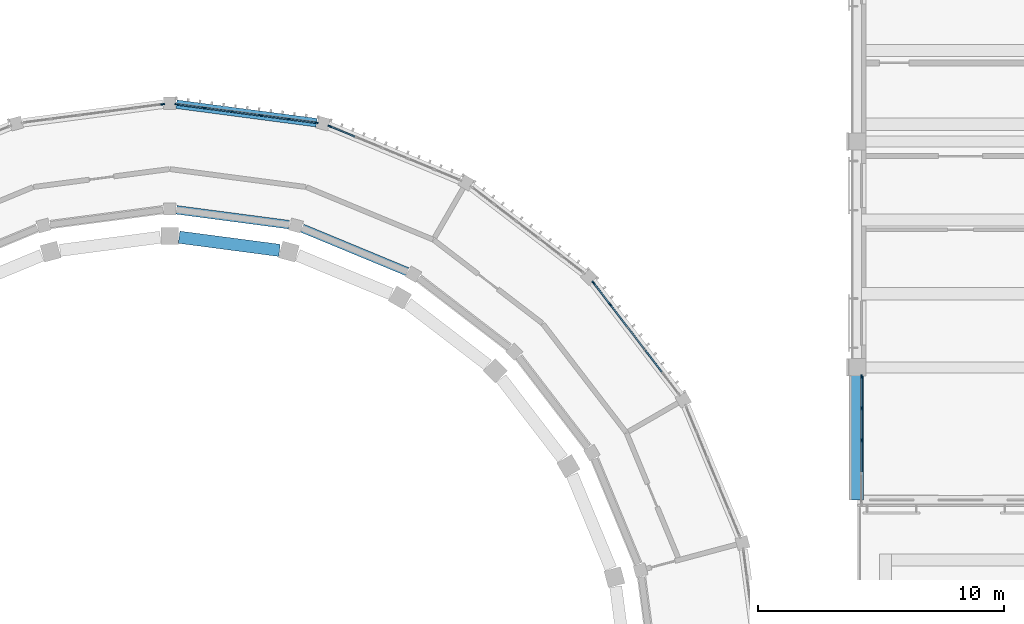
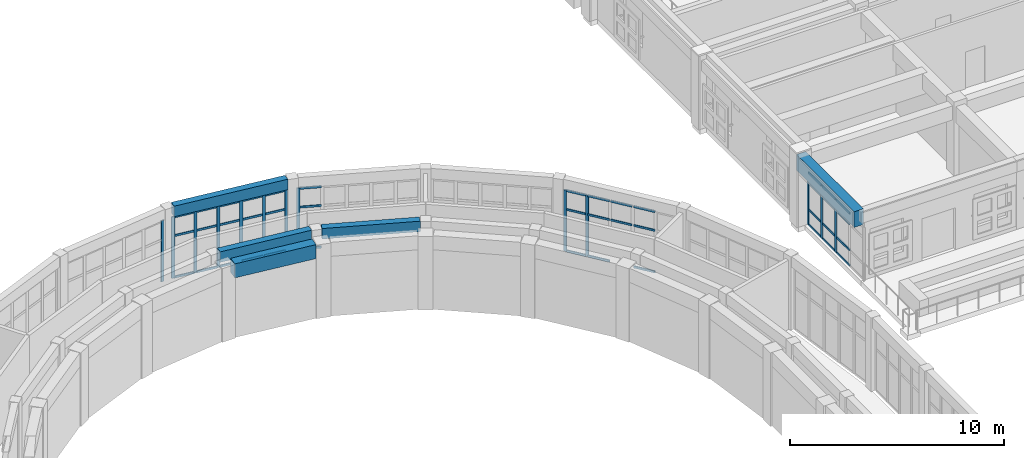
# One storey, part 22 of 99: 54 members, 5 beams, 5 elements without a shape of their own.
"""IFC4 building model written with IfcOpenShell, lengths in metres."""

from ifc_helpers import new_model, si_unit, direction, frame, origin, origin_2d, place, context, subcontext, project, spatial, rectangle, extrude, material, layer, layer_set, material_profile, profile_set, type_object, element, aggregate, save


model = new_model("IFC4")

# Units and contexts
model_context = context("Model", 3, precision=1e-05, world=origin(), true_north=direction((0.0, 1.0)))
body_context = subcontext(model_context, "Body", "Model", "MODEL_VIEW")
ifc_project = project(units=[si_unit("LENGTHUNIT", "METRE"), si_unit("AREAUNIT", "SQUARE_METRE"), si_unit("VOLUMEUNIT", "CUBIC_METRE"), si_unit("PLANEANGLEUNIT", "RADIAN"), si_unit("MASSUNIT", "GRAM", prefix="KILO")], contexts=[model_context])

# Site, building, storey
site_placement = place(None, origin())
site = spatial("IfcSite", under=ifc_project, at=site_placement, CompositionType="ELEMENT")
building_placement = place(site_placement, origin())
building = spatial("IfcBuilding", under=site, at=building_placement, Name="Wasatch Bagh Community Centre", CompositionType="ELEMENT")
storey_placement = place(building_placement, frame((0.0, 0.0, 4.199951171875)))
storey = spatial("IfcBuildingStorey", under=building, at=storey_placement, Name="L01", CompositionType="ELEMENT", Elevation=4.199951171875)

# Curtain wall, members
ifc_material_1 = material(Name="Aluminium curtain wall frame with low-iron insulated glass", Category="aluminium")
ifc_layer_1 = layer(ifc_material_1, 0.14990234375)
ifc_layer_set_1 = layer_set([ifc_layer_1], Name="Aluminium curtain wall frame with low-iron insulated glass")
curtain_wall_type_1 = type_object("IfcCurtainWallType", Name="Drum curtain wall DR-CW2", PredefinedType="NOTDEFINED", material=ifc_layer_set_1)
curtain_wall_1_placement = place(storey_placement, origin())
curtain_wall_1 = element("IfcCurtainWall", 1, at=curtain_wall_1_placement, inside=storey, type_object=curtain_wall_type_1, Name="Curtain wall DR-CW2 21", PredefinedType="NOTDEFINED")
ifc_material_2 = material(Name="Aluminium curtain wall frame", Category="aluminium")
ifc_material_profile_1 = material_profile(ifc_material_2, rectangle(XDim=0.06005859375, YDim=0.159912109375, at=origin_2d()), Name="Drum mullion DR-CW2")
ifc_profile_set_1 = profile_set([ifc_material_profile_1], Name="Aluminium curtain wall frame")
member_type_1 = type_object("IfcMemberType", Name="Drum mullion DR-CW2", PredefinedType="MULLION", material=ifc_profile_set_1)
member_1_placement = place(storey_placement, frame((53.940185546875, 80.951416015625, 0.0), z_axis=(0.0, 0.0, 1.0), x_axis=(-0.793353340196, -0.608761429133, 0.0)))
member_1 = element("IfcMember", 2, at=member_1_placement, type_object=member_type_1, Name="DR-CW2 mullion 5", PredefinedType="MULLION", context=body_context, shape_type="SweptSolid", body=[
    extrude(rectangle(XDim=0.06005859375, YDim=0.159912109375, at=origin_2d()), origin(), (0.0, 0.0, 1.0), 3.5),
])
member_2_placement = place(storey_placement, frame((53.254638671875, 81.844482421875, 0.0), z_axis=(0.0, 0.0, 1.0), x_axis=(-0.793353340196, -0.608761429133, 0.0)))
member_2 = element("IfcMember", 3, at=member_2_placement, type_object=member_type_1, Name="DR-CW2 mullion 6", PredefinedType="MULLION", context=body_context, shape_type="SweptSolid", body=[
    extrude(rectangle(XDim=0.06005859375, YDim=0.159912109375, at=origin_2d()), origin(), (0.0, 0.0, 1.0), 3.5),
])

# Curtain wall, member
curtain_wall_2_placement = place(storey_placement, origin())
curtain_wall_2 = element("IfcCurtainWall", 4, at=curtain_wall_2_placement, inside=storey, type_object=curtain_wall_type_1, Name="Curtain wall DR-CW2 23", PredefinedType="NOTDEFINED")
member_3_placement = place(storey_placement, frame((42.520751953125, 88.215087890625, 0.0), z_axis=(0.0, 0.0, 1.0), x_axis=(-0.38268343251, -0.923879532451, 0.0)))
member_3 = element("IfcMember", 5, at=member_3_placement, type_object=member_type_1, Name="DR-CW2 mullion 6", PredefinedType="MULLION", context=body_context, shape_type="SweptSolid", body=[
    extrude(rectangle(XDim=0.06005859375, YDim=0.159912109375, at=origin_2d()), origin(), (0.0, 0.0, 1.0), 3.5),
])

# Curtain wall, members
curtain_wall_3_placement = place(storey_placement, origin())
curtain_wall_3 = element("IfcCurtainWall", 6, at=curtain_wall_3_placement, inside=storey, type_object=curtain_wall_type_1, Name="Curtain wall DR-CW2 24", PredefinedType="NOTDEFINED")
member_4_placement = place(storey_placement, frame((41.96044921875, 88.365234375, 0.0), z_axis=(0.0, 0.0, 1.0), x_axis=(-0.130526192185, -0.991444861378, 0.0)))
member_4 = element("IfcMember", 7, at=member_4_placement, type_object=member_type_1, Name="DR-CW2 mullion 1", PredefinedType="MULLION", context=body_context, shape_type="SweptSolid", body=[
    extrude(rectangle(XDim=0.06005859375, YDim=0.159912109375, at=origin_2d()), origin(), (0.0, 0.0, 1.0), 3.5),
])
member_5_placement = place(storey_placement, frame((40.84423828125, 88.51220703125, 0.0), z_axis=(0.0, 0.0, 1.0), x_axis=(-0.130526192185, -0.991444861378, 0.0)))
member_5 = element("IfcMember", 8, at=member_5_placement, type_object=member_type_1, Name="DR-CW2 mullion 2", PredefinedType="MULLION", context=body_context, shape_type="SweptSolid", body=[
    extrude(rectangle(XDim=0.06005859375, YDim=0.159912109375, at=origin_2d()), origin(), (0.0, 0.0, 1.0), 3.5),
])
member_6_placement = place(storey_placement, frame((39.6982421875, 88.6630859375, 0.0), z_axis=(0.0, 0.0, 1.0), x_axis=(-0.130526192185, -0.991444861378, 0.0)))
member_6 = element("IfcMember", 9, at=member_6_placement, type_object=member_type_1, Name="DR-CW2 mullion 3", PredefinedType="MULLION", context=body_context, shape_type="SweptSolid", body=[
    extrude(rectangle(XDim=0.06005859375, YDim=0.159912109375, at=origin_2d()), origin(), (0.0, 0.0, 1.0), 3.5),
])
member_7_placement = place(storey_placement, frame((38.55224609375, 88.81396484375, 0.0), z_axis=(0.0, 0.0, 1.0), x_axis=(-0.130526192185, -0.991444861378, 0.0)))
member_7 = element("IfcMember", 10, at=member_7_placement, type_object=member_type_1, Name="DR-CW2 mullion 4", PredefinedType="MULLION", context=body_context, shape_type="SweptSolid", body=[
    extrude(rectangle(XDim=0.06005859375, YDim=0.159912109375, at=origin_2d()), origin(), (0.0, 0.0, 1.0), 3.5),
])
member_8_placement = place(storey_placement, frame((37.40625, 88.96484375, 0.0), z_axis=(0.0, 0.0, 1.0), x_axis=(-0.130526192185, -0.991444861378, 0.0)))
member_8 = element("IfcMember", 11, at=member_8_placement, type_object=member_type_1, Name="DR-CW2 mullion 5", PredefinedType="MULLION", context=body_context, shape_type="SweptSolid", body=[
    extrude(rectangle(XDim=0.06005859375, YDim=0.159912109375, at=origin_2d()), origin(), (0.0, 0.0, 1.0), 3.5),
])
member_9_placement = place(storey_placement, frame((36.2900390625, 89.11181640625, 0.0), z_axis=(0.0, 0.0, 1.0), x_axis=(-0.130526192185, -0.991444861378, 0.0)))
member_9 = element("IfcMember", 12, at=member_9_placement, type_object=member_type_1, Name="DR-CW2 mullion 6", PredefinedType="MULLION", context=body_context, shape_type="SweptSolid", body=[
    extrude(rectangle(XDim=0.06005859375, YDim=0.159912109375, at=origin_2d()), origin(), (0.0, 0.0, 1.0), 3.5),
])

# Curtain wall, member
curtain_wall_4_placement = place(storey_placement, origin())
curtain_wall_4 = element("IfcCurtainWall", 13, at=curtain_wall_4_placement, inside=storey, type_object=curtain_wall_type_1, Name="Curtain wall DR-CW2 25", PredefinedType="NOTDEFINED")
member_10_placement = place(storey_placement, frame((35.7099609375, 89.11181640625, 0.0), z_axis=(0.0, 0.0, 1.0), x_axis=(0.130526192185, -0.991444861378, 0.0)))
member_10 = element("IfcMember", 14, at=member_10_placement, type_object=member_type_1, Name="DR-CW2 mullion 1", PredefinedType="MULLION", context=body_context, shape_type="SweptSolid", body=[
    extrude(rectangle(XDim=0.06005859375, YDim=0.159912109375, at=origin_2d()), origin(), (0.0, 0.0, 1.0), 3.5),
])
aggregate(curtain_wall_4, [member_10])

# Beams
ifc_material_3 = material(Name="Concrete C35", Category="concrete")
ifc_material_profile_2 = material_profile(ifc_material_3, rectangle(XDim=0.35009765625, YDim=0.60009765625, at=origin_2d()), Name="RC 350x600")
ifc_profile_set_2 = profile_set([ifc_material_profile_2], Name="Concrete C35")
beam_type_1 = type_object("IfcBeamType", Name="Drum ring beam RC 350x600", PredefinedType="BEAM", material=ifc_profile_set_2)
beam_1_placement = place(storey_placement, frame((45.67041015625, 82.296142578125, 3.900146484375), z_axis=(-0.923884458327, 0.382671540178, 0.0), x_axis=(-0.382671540178, -0.923884458327, 0.0)))
element("IfcBeam", 15, at=beam_1_placement, inside=storey, type_object=beam_type_1, Name="Ring beam 8.4 DI-N4-DI-N5", PredefinedType="BEAM", context=body_context, shape_type="SweptSolid", body=[
    extrude(rectangle(XDim=0.35009765625, YDim=0.60009765625, at=origin_2d()), origin(), (0.0, 0.0, 1.0), 4.630615234375),
])
beam_2_placement = place(storey_placement, frame((40.8642578125, 84.209716796875, 3.900146484375), z_axis=(-0.99144891089, 0.130495429401, 0.0), x_axis=(-0.130495429401, -0.99144891089, 0.0)))
element("IfcBeam", 16, at=beam_2_placement, inside=storey, type_object=beam_type_1, Name="Ring beam 8.4 DI-N5-DI-N6", PredefinedType="BEAM", context=body_context, shape_type="SweptSolid", body=[
    extrude(rectangle(XDim=0.35009765625, YDim=0.60009765625, at=origin_2d()), origin(), (0.0, 0.0, 1.0), 4.63037109375),
])
beam_3_placement = place(storey_placement, frame((41.97705078125, 88.363037109375, 3.900146484375), z_axis=(-0.991443025046, 0.130540139759, 0.0), x_axis=(-0.130540139759, -0.991443025046, 0.0)))
element("IfcBeam", 17, at=beam_3_placement, inside=storey, type_object=beam_type_1, Name="Ring beam 8.4 DO-N5-DO-N6", PredefinedType="BEAM", context=body_context, shape_type="SweptSolid", body=[
    extrude(rectangle(XDim=0.35009765625, YDim=0.60009765625, at=origin_2d()), origin(), (0.0, 0.0, 1.0), 5.7529296875),
])

# Member
ifc_material_profile_3 = material_profile(ifc_material_2, rectangle(XDim=0.06005859375, YDim=0.1201171875, at=origin_2d()), Name="Drum transom DR-CW2")
ifc_profile_set_3 = profile_set([ifc_material_profile_3], Name="Aluminium curtain wall frame")
member_type_2 = type_object("IfcMemberType", Name="Drum transom DR-CW2", PredefinedType="USERDEFINED", material=ifc_profile_set_3)
member_11_placement = place(storey_placement, frame((56.03271484375, 78.22412109375, 0.030029296875), z_axis=(-0.608698124672, 0.793401911405, 0.0), x_axis=(-0.793401911405, -0.608698124672, 0.0)))
member_11 = element("IfcMember", 18, at=member_11_placement, type_object=member_type_2, Name="DR-CW2 transom 2.1", ObjectType="TRANSOM", PredefinedType="USERDEFINED", context=body_context, shape_type="SweptSolid", body=[
    extrude(rectangle(XDim=0.06005859375, YDim=0.1201171875, at=origin_2d()), origin(), (0.0, 0.0, 1.0), 1.095703125),
])

member_12_placement = place(storey_placement, frame((56.03271484375, 78.22412109375, 2.400146484375), z_axis=(-0.608698124672, 0.793401911405, 0.0), x_axis=(-0.793401911405, -0.608698124672, 0.0)))
member_12 = element("IfcMember", 19, at=member_12_placement, type_object=member_type_2, Name="DR-CW2 transom 2.2", ObjectType="TRANSOM", PredefinedType="USERDEFINED", context=body_context, shape_type="SweptSolid", body=[
    extrude(rectangle(XDim=0.06005859375, YDim=0.1201171875, at=origin_2d()), origin(), (0.0, 0.0, 1.0), 1.095703125),
])

member_13_placement = place(storey_placement, frame((56.03271484375, 78.22412109375, 3.469970703125), z_axis=(-0.608698124672, 0.793401911405, 0.0), x_axis=(-0.793401911405, -0.608698124672, 0.0)))
member_13 = element("IfcMember", 20, at=member_13_placement, type_object=member_type_2, Name="DR-CW2 transom 2.3", ObjectType="TRANSOM", PredefinedType="USERDEFINED", context=body_context, shape_type="SweptSolid", body=[
    extrude(rectangle(XDim=0.06005859375, YDim=0.1201171875, at=origin_2d()), origin(), (0.0, 0.0, 1.0), 1.095703125),
])

member_14_placement = place(storey_placement, frame((55.3291015625, 79.14111328125, 2.400146484375), z_axis=(-0.608698124672, 0.793401911405, 0.0), x_axis=(-0.793401911405, -0.608698124672, 0.0)))
member_14 = element("IfcMember", 21, at=member_14_placement, type_object=member_type_2, Name="DR-CW2 transom 3.2", ObjectType="TRANSOM", PredefinedType="USERDEFINED", context=body_context, shape_type="SweptSolid", body=[
    extrude(rectangle(XDim=0.06005859375, YDim=0.1201171875, at=origin_2d()), origin(), (0.0, 0.0, 1.0), 1.095703125),
])

member_15_placement = place(storey_placement, frame((55.3291015625, 79.14111328125, 3.469970703125), z_axis=(-0.608698124672, 0.793401911405, 0.0), x_axis=(-0.793401911405, -0.608698124672, 0.0)))
member_15 = element("IfcMember", 22, at=member_15_placement, type_object=member_type_2, Name="DR-CW2 transom 3.3", ObjectType="TRANSOM", PredefinedType="USERDEFINED", context=body_context, shape_type="SweptSolid", body=[
    extrude(rectangle(XDim=0.06005859375, YDim=0.1201171875, at=origin_2d()), origin(), (0.0, 0.0, 1.0), 1.095703125),
])

member_16_placement = place(storey_placement, frame((54.62548828125, 80.05810546875, 0.030029296875), z_axis=(-0.608838347721, 0.793294312563, 0.0), x_axis=(-0.793294312563, -0.608838347721, 0.0)))
member_16 = element("IfcMember", 23, at=member_16_placement, type_object=member_type_2, Name="DR-CW2 transom 4.1", ObjectType="TRANSOM", PredefinedType="USERDEFINED", context=body_context, shape_type="SweptSolid", body=[
    extrude(rectangle(XDim=0.06005859375, YDim=0.1201171875, at=origin_2d()), origin(), (0.0, 0.0, 1.0), 1.095947265625),
])

member_17_placement = place(storey_placement, frame((54.62548828125, 80.05810546875, 2.400146484375), z_axis=(-0.608838347721, 0.793294312563, 0.0), x_axis=(-0.793294312563, -0.608838347721, 0.0)))
member_17 = element("IfcMember", 24, at=member_17_placement, type_object=member_type_2, Name="DR-CW2 transom 4.2", ObjectType="TRANSOM", PredefinedType="USERDEFINED", context=body_context, shape_type="SweptSolid", body=[
    extrude(rectangle(XDim=0.06005859375, YDim=0.1201171875, at=origin_2d()), origin(), (0.0, 0.0, 1.0), 1.095947265625),
])

member_18_placement = place(storey_placement, frame((54.62548828125, 80.05810546875, 3.469970703125), z_axis=(-0.608838347721, 0.793294312563, 0.0), x_axis=(-0.793294312563, -0.608838347721, 0.0)))
member_18 = element("IfcMember", 25, at=member_18_placement, type_object=member_type_2, Name="DR-CW2 transom 4.3", ObjectType="TRANSOM", PredefinedType="USERDEFINED", context=body_context, shape_type="SweptSolid", body=[
    extrude(rectangle(XDim=0.06005859375, YDim=0.1201171875, at=origin_2d()), origin(), (0.0, 0.0, 1.0), 1.095947265625),
])

member_19_placement = place(storey_placement, frame((53.921875, 80.97509765625, 0.030029296875), z_axis=(-0.608758447006, 0.793355628453, 0.0), x_axis=(-0.793355628453, -0.608758447006, 0.0)))
member_19 = element("IfcMember", 26, at=member_19_placement, type_object=member_type_2, Name="DR-CW2 transom 5.1", ObjectType="TRANSOM", PredefinedType="USERDEFINED", context=body_context, shape_type="SweptSolid", body=[
    extrude(rectangle(XDim=0.06005859375, YDim=0.1201171875, at=origin_2d()), origin(), (0.0, 0.0, 1.0), 1.06591796875),
])

member_20_placement = place(storey_placement, frame((53.921875, 80.97509765625, 2.400146484375), z_axis=(-0.608758447006, 0.793355628453, 0.0), x_axis=(-0.793355628453, -0.608758447006, 0.0)))
member_20 = element("IfcMember", 27, at=member_20_placement, type_object=member_type_2, Name="DR-CW2 transom 5.2", ObjectType="TRANSOM", PredefinedType="USERDEFINED", context=body_context, shape_type="SweptSolid", body=[
    extrude(rectangle(XDim=0.06005859375, YDim=0.1201171875, at=origin_2d()), origin(), (0.0, 0.0, 1.0), 1.06591796875),
])

member_21_placement = place(storey_placement, frame((53.921875, 80.97509765625, 3.469970703125), z_axis=(-0.608758447006, 0.793355628453, 0.0), x_axis=(-0.793355628453, -0.608758447006, 0.0)))
member_21 = element("IfcMember", 28, at=member_21_placement, type_object=member_type_2, Name="DR-CW2 transom 5.3", ObjectType="TRANSOM", PredefinedType="USERDEFINED", context=body_context, shape_type="SweptSolid", body=[
    extrude(rectangle(XDim=0.06005859375, YDim=0.1201171875, at=origin_2d()), origin(), (0.0, 0.0, 1.0), 1.06591796875),
])

aggregate(curtain_wall_1, [member_1, member_2, member_11, member_12, member_13, member_14, member_15, member_16, member_17, member_18, member_19, member_20, member_21])

member_22_placement = place(storey_placement, frame((43.533203125, 87.7958984375, 0.030029296875), z_axis=(-0.923955432606, 0.382500141907, 0.0), x_axis=(-0.382500141907, -0.923955432606, 0.0)))
member_22 = element("IfcMember", 29, at=member_22_placement, type_object=member_type_2, Name="DR-CW2 transom 5.1", ObjectType="TRANSOM", PredefinedType="USERDEFINED", context=body_context, shape_type="SweptSolid", body=[
    extrude(rectangle(XDim=0.06005859375, YDim=0.1201171875, at=origin_2d()), origin(), (0.0, 0.0, 1.0), 1.06591796875),
])

member_23_placement = place(storey_placement, frame((43.533203125, 87.7958984375, 2.400146484375), z_axis=(-0.923955432606, 0.382500141907, 0.0), x_axis=(-0.382500141907, -0.923955432606, 0.0)))
member_23 = element("IfcMember", 30, at=member_23_placement, type_object=member_type_2, Name="DR-CW2 transom 5.2", ObjectType="TRANSOM", PredefinedType="USERDEFINED", context=body_context, shape_type="SweptSolid", body=[
    extrude(rectangle(XDim=0.06005859375, YDim=0.1201171875, at=origin_2d()), origin(), (0.0, 0.0, 1.0), 1.06591796875),
])

member_24_placement = place(storey_placement, frame((43.533203125, 87.7958984375, 3.469970703125), z_axis=(-0.923955432606, 0.382500141907, 0.0), x_axis=(-0.382500141907, -0.923955432606, 0.0)))
member_24 = element("IfcMember", 31, at=member_24_placement, type_object=member_type_2, Name="DR-CW2 transom 5.3", ObjectType="TRANSOM", PredefinedType="USERDEFINED", context=body_context, shape_type="SweptSolid", body=[
    extrude(rectangle(XDim=0.06005859375, YDim=0.1201171875, at=origin_2d()), origin(), (0.0, 0.0, 1.0), 1.06591796875),
])

aggregate(curtain_wall_2, [member_3, member_22, member_23, member_24])

member_25_placement = place(storey_placement, frame((41.9306640625, 88.369140625, 0.030029296875), z_axis=(-0.991438694485, 0.130573025845, 0.0), x_axis=(-0.130573025845, -0.991438694485, 0.0)))
member_25 = element("IfcMember", 32, at=member_25_placement, type_object=member_type_2, Name="DR-CW2 transom 1.1", ObjectType="TRANSOM", PredefinedType="USERDEFINED", context=body_context, shape_type="SweptSolid", body=[
    extrude(rectangle(XDim=0.06005859375, YDim=0.1201171875, at=origin_2d()), origin(), (0.0, 0.0, 1.0), 1.065673828125),
])

member_26_placement = place(storey_placement, frame((41.9306640625, 88.369140625, 2.400146484375), z_axis=(-0.991438694485, 0.130573025845, 0.0), x_axis=(-0.130573025845, -0.991438694485, 0.0)))
member_26 = element("IfcMember", 33, at=member_26_placement, type_object=member_type_2, Name="DR-CW2 transom 1.2", ObjectType="TRANSOM", PredefinedType="USERDEFINED", context=body_context, shape_type="SweptSolid", body=[
    extrude(rectangle(XDim=0.06005859375, YDim=0.1201171875, at=origin_2d()), origin(), (0.0, 0.0, 1.0), 1.065673828125),
])

member_27_placement = place(storey_placement, frame((41.9306640625, 88.369140625, 3.469970703125), z_axis=(-0.991438694485, 0.130573025845, 0.0), x_axis=(-0.130573025845, -0.991438694485, 0.0)))
member_27 = element("IfcMember", 34, at=member_27_placement, type_object=member_type_2, Name="DR-CW2 transom 1.3", ObjectType="TRANSOM", PredefinedType="USERDEFINED", context=body_context, shape_type="SweptSolid", body=[
    extrude(rectangle(XDim=0.06005859375, YDim=0.1201171875, at=origin_2d()), origin(), (0.0, 0.0, 1.0), 1.065673828125),
])

member_28_placement = place(storey_placement, frame((40.814453125, 88.51611328125, 0.030029296875), z_axis=(-0.99144064028, 0.130558250608, 0.0), x_axis=(-0.130558250608, -0.99144064028, 0.0)))
member_28 = element("IfcMember", 35, at=member_28_placement, type_object=member_type_2, Name="DR-CW2 transom 2.1", ObjectType="TRANSOM", PredefinedType="USERDEFINED", context=body_context, shape_type="SweptSolid", body=[
    extrude(rectangle(XDim=0.06005859375, YDim=0.1201171875, at=origin_2d()), origin(), (0.0, 0.0, 1.0), 1.095703125),
])

member_29_placement = place(storey_placement, frame((40.814453125, 88.51611328125, 2.400146484375), z_axis=(-0.99144064028, 0.130558250608, 0.0), x_axis=(-0.130558250608, -0.99144064028, 0.0)))
member_29 = element("IfcMember", 36, at=member_29_placement, type_object=member_type_2, Name="DR-CW2 transom 2.2", ObjectType="TRANSOM", PredefinedType="USERDEFINED", context=body_context, shape_type="SweptSolid", body=[
    extrude(rectangle(XDim=0.06005859375, YDim=0.1201171875, at=origin_2d()), origin(), (0.0, 0.0, 1.0), 1.095703125),
])

member_30_placement = place(storey_placement, frame((40.814453125, 88.51611328125, 3.469970703125), z_axis=(-0.99144064028, 0.130558250608, 0.0), x_axis=(-0.130558250608, -0.99144064028, 0.0)))
member_30 = element("IfcMember", 37, at=member_30_placement, type_object=member_type_2, Name="DR-CW2 transom 2.3", ObjectType="TRANSOM", PredefinedType="USERDEFINED", context=body_context, shape_type="SweptSolid", body=[
    extrude(rectangle(XDim=0.06005859375, YDim=0.1201171875, at=origin_2d()), origin(), (0.0, 0.0, 1.0), 1.095703125),
])

member_31_placement = place(storey_placement, frame((39.66845703125, 88.6669921875, 0.030029296875), z_axis=(-0.99144064028, 0.130558250608, 0.0), x_axis=(-0.130558250608, -0.99144064028, 0.0)))
member_31 = element("IfcMember", 38, at=member_31_placement, type_object=member_type_2, Name="DR-CW2 transom 3.1", ObjectType="TRANSOM", PredefinedType="USERDEFINED", context=body_context, shape_type="SweptSolid", body=[
    extrude(rectangle(XDim=0.06005859375, YDim=0.1201171875, at=origin_2d()), origin(), (0.0, 0.0, 1.0), 1.095703125),
])

member_32_placement = place(storey_placement, frame((39.66845703125, 88.6669921875, 2.400146484375), z_axis=(-0.99144064028, 0.130558250608, 0.0), x_axis=(-0.130558250608, -0.99144064028, 0.0)))
member_32 = element("IfcMember", 39, at=member_32_placement, type_object=member_type_2, Name="DR-CW2 transom 3.2", ObjectType="TRANSOM", PredefinedType="USERDEFINED", context=body_context, shape_type="SweptSolid", body=[
    extrude(rectangle(XDim=0.06005859375, YDim=0.1201171875, at=origin_2d()), origin(), (0.0, 0.0, 1.0), 1.095703125),
])

member_33_placement = place(storey_placement, frame((39.66845703125, 88.6669921875, 3.469970703125), z_axis=(-0.99144064028, 0.130558250608, 0.0), x_axis=(-0.130558250608, -0.99144064028, 0.0)))
member_33 = element("IfcMember", 40, at=member_33_placement, type_object=member_type_2, Name="DR-CW2 transom 3.3", ObjectType="TRANSOM", PredefinedType="USERDEFINED", context=body_context, shape_type="SweptSolid", body=[
    extrude(rectangle(XDim=0.06005859375, YDim=0.1201171875, at=origin_2d()), origin(), (0.0, 0.0, 1.0), 1.095703125),
])

member_34_placement = place(storey_placement, frame((38.5224609375, 88.81787109375, 0.030029296875), z_axis=(-0.99144064028, 0.130558250608, 0.0), x_axis=(-0.130558250608, -0.99144064028, 0.0)))
member_34 = element("IfcMember", 41, at=member_34_placement, type_object=member_type_2, Name="DR-CW2 transom 4.1", ObjectType="TRANSOM", PredefinedType="USERDEFINED", context=body_context, shape_type="SweptSolid", body=[
    extrude(rectangle(XDim=0.06005859375, YDim=0.1201171875, at=origin_2d()), origin(), (0.0, 0.0, 1.0), 1.095703125),
])

member_35_placement = place(storey_placement, frame((38.5224609375, 88.81787109375, 2.400146484375), z_axis=(-0.99144064028, 0.130558250608, 0.0), x_axis=(-0.130558250608, -0.99144064028, 0.0)))
member_35 = element("IfcMember", 42, at=member_35_placement, type_object=member_type_2, Name="DR-CW2 transom 4.2", ObjectType="TRANSOM", PredefinedType="USERDEFINED", context=body_context, shape_type="SweptSolid", body=[
    extrude(rectangle(XDim=0.06005859375, YDim=0.1201171875, at=origin_2d()), origin(), (0.0, 0.0, 1.0), 1.095703125),
])

member_36_placement = place(storey_placement, frame((38.5224609375, 88.81787109375, 3.469970703125), z_axis=(-0.99144064028, 0.130558250608, 0.0), x_axis=(-0.130558250608, -0.99144064028, 0.0)))
member_36 = element("IfcMember", 43, at=member_36_placement, type_object=member_type_2, Name="DR-CW2 transom 4.3", ObjectType="TRANSOM", PredefinedType="USERDEFINED", context=body_context, shape_type="SweptSolid", body=[
    extrude(rectangle(XDim=0.06005859375, YDim=0.1201171875, at=origin_2d()), origin(), (0.0, 0.0, 1.0), 1.095703125),
])

member_37_placement = place(storey_placement, frame((37.37646484375, 88.96875, 0.030029296875), z_axis=(-0.991438694485, 0.130573025845, 0.0), x_axis=(-0.130573025845, -0.991438694485, 0.0)))
member_37 = element("IfcMember", 44, at=member_37_placement, type_object=member_type_2, Name="DR-CW2 transom 5.1", ObjectType="TRANSOM", PredefinedType="USERDEFINED", context=body_context, shape_type="SweptSolid", body=[
    extrude(rectangle(XDim=0.06005859375, YDim=0.1201171875, at=origin_2d()), origin(), (0.0, 0.0, 1.0), 1.065673828125),
])

member_38_placement = place(storey_placement, frame((37.37646484375, 88.96875, 2.400146484375), z_axis=(-0.991438694485, 0.130573025845, 0.0), x_axis=(-0.130573025845, -0.991438694485, 0.0)))
member_38 = element("IfcMember", 45, at=member_38_placement, type_object=member_type_2, Name="DR-CW2 transom 5.2", ObjectType="TRANSOM", PredefinedType="USERDEFINED", context=body_context, shape_type="SweptSolid", body=[
    extrude(rectangle(XDim=0.06005859375, YDim=0.1201171875, at=origin_2d()), origin(), (0.0, 0.0, 1.0), 1.065673828125),
])

member_39_placement = place(storey_placement, frame((37.37646484375, 88.96875, 3.469970703125), z_axis=(-0.991438694485, 0.130573025845, 0.0), x_axis=(-0.130573025845, -0.991438694485, 0.0)))
member_39 = element("IfcMember", 46, at=member_39_placement, type_object=member_type_2, Name="DR-CW2 transom 5.3", ObjectType="TRANSOM", PredefinedType="USERDEFINED", context=body_context, shape_type="SweptSolid", body=[
    extrude(rectangle(XDim=0.06005859375, YDim=0.1201171875, at=origin_2d()), origin(), (0.0, 0.0, 1.0), 1.065673828125),
])

aggregate(curtain_wall_3, [member_4, member_5, member_6, member_7, member_8, member_9, member_25, member_26, member_27, member_28, member_29, member_30, member_31, member_32, member_33, member_34, member_35, member_36, member_37, member_38, member_39])

# Beam
ifc_material_profile_4 = material_profile(ifc_material_3, rectangle(XDim=0.5, YDim=0.89990234375, at=origin_2d()), Name="RC 500x900")
ifc_profile_set_4 = profile_set([ifc_material_profile_4], Name="Concrete C35")
beam_type_2 = type_object("IfcBeamType", Name="LW RC 500x900", PredefinedType="BEAM", material=ifc_profile_set_4)
beam_4_placement = place(storey_placement, frame((64.0, 78.39990234375, 3.469970703125), z_axis=(0.0, -1.0, 0.0), x_axis=(1.0, 0.0, 0.0)))
element("IfcBeam", 47, at=beam_4_placement, inside=storey, type_object=beam_type_2, Name="W1S-tip", PredefinedType="BEAM", context=body_context, shape_type="SweptSolid", body=[
    extrude(rectangle(XDim=0.5, YDim=0.89990234375, at=origin_2d()), origin(), (0.0, 0.0, 1.0), 5.39990234375),
])

# Curtain wall, members
ifc_material_4 = material(Name="Aluminium curtain wall frame with low-iron glass", Category="aluminium")
ifc_layer_2 = layer(ifc_material_4, 0.159912109375)
ifc_layer_set_2 = layer_set([ifc_layer_2], Name="Aluminium curtain wall frame with low-iron glass")
curtain_wall_type_2 = type_object("IfcCurtainWallType", Name="LW gable curtain wall 160", PredefinedType="NOTDEFINED", material=ifc_layer_set_2)
curtain_wall_5_placement = place(storey_placement, origin())
curtain_wall_5 = element("IfcCurtainWall", 48, at=curtain_wall_5_placement, inside=storey, type_object=curtain_wall_type_2, Name="Curtain wall 01.08", PredefinedType="NOTDEFINED")
ifc_material_5 = material(Name="Aluminium extrusion", Category="aluminium")
ifc_material_profile_5 = material_profile(ifc_material_5, rectangle(XDim=0.06005859375, YDim=0.159912109375, at=origin_2d()), Name="AL 60x160")
ifc_profile_set_5 = profile_set([ifc_material_profile_5], Name="Aluminium extrusion")
member_type_3 = type_object("IfcMemberType", Name="LW curtain wall mullion 60x160 LW-CW4", PredefinedType="MULLION", material=ifc_profile_set_5)
member_40_placement = place(storey_placement, frame((64.175048828125, 75.425048828125, 0.0), z_axis=(0.0, 0.0, 1.0), x_axis=(-1.0, 0.0, 0.0)))
member_40 = element("IfcMember", 49, at=member_40_placement, type_object=member_type_3, Name="LW-CW4 mullion 3", PredefinedType="MULLION", context=body_context, shape_type="SweptSolid", body=[
    extrude(rectangle(XDim=0.06005859375, YDim=0.159912109375, at=origin_2d()), origin(), (0.0, 0.0, 1.0), 3.02001953125),
])
member_41_placement = place(storey_placement, frame((64.175048828125, 76.737548828125, 0.0), z_axis=(0.0, 0.0, 1.0), x_axis=(-1.0, 0.0, 0.0)))
member_41 = element("IfcMember", 50, at=member_41_placement, type_object=member_type_3, Name="LW-CW4 mullion 4", PredefinedType="MULLION", context=body_context, shape_type="SweptSolid", body=[
    extrude(rectangle(XDim=0.06005859375, YDim=0.159912109375, at=origin_2d()), origin(), (0.0, 0.0, 1.0), 3.02001953125),
])
member_42_placement = place(storey_placement, frame((64.175048828125, 78.02001953125, 0.0), z_axis=(0.0, 0.0, 1.0), x_axis=(-1.0, 0.0, 0.0)))
member_42 = element("IfcMember", 51, at=member_42_placement, type_object=member_type_3, Name="LW-CW4 mullion 5", PredefinedType="MULLION", context=body_context, shape_type="SweptSolid", body=[
    extrude(rectangle(XDim=0.06005859375, YDim=0.159912109375, at=origin_2d()), origin(), (0.0, 0.0, 1.0), 3.02001953125),
])
ifc_material_profile_6 = material_profile(ifc_material_5, rectangle(XDim=0.06005859375, YDim=0.1201171875, at=origin_2d()), Name="AL 60x120")
ifc_profile_set_6 = profile_set([ifc_material_profile_6], Name="Aluminium extrusion")
member_type_4 = type_object("IfcMemberType", Name="LW curtain wall transom 60x120 LW-CW4", PredefinedType="USERDEFINED", material=ifc_profile_set_6)
member_43_placement = place(storey_placement, frame((64.175048828125, 74.142578125, 0.030029296875), z_axis=(0.0, 1.0, 0.0), x_axis=(-1.0, 0.0, 0.0)))
member_43 = element("IfcMember", 52, at=member_43_placement, type_object=member_type_4, Name="LW-CW4 transom 2.1", ObjectType="TRANSOM", PredefinedType="USERDEFINED", context=body_context, shape_type="SweptSolid", body=[
    extrude(rectangle(XDim=0.06005859375, YDim=0.1201171875, at=origin_2d()), origin(), (0.0, 0.0, 1.0), 1.25244140625),
])
member_44_placement = place(storey_placement, frame((64.175048828125, 74.142578125, 0.900146484375), z_axis=(0.0, 1.0, 0.0), x_axis=(-1.0, 0.0, 0.0)))
member_44 = element("IfcMember", 53, at=member_44_placement, type_object=member_type_4, Name="LW-CW4 transom 2.2", ObjectType="TRANSOM", PredefinedType="USERDEFINED", context=body_context, shape_type="SweptSolid", body=[
    extrude(rectangle(XDim=0.06005859375, YDim=0.1201171875, at=origin_2d()), origin(), (0.0, 0.0, 1.0), 1.25244140625),
])
member_45_placement = place(storey_placement, frame((64.175048828125, 74.142578125, 2.400146484375), z_axis=(0.0, 1.0, 0.0), x_axis=(-1.0, 0.0, 0.0)))
member_45 = element("IfcMember", 54, at=member_45_placement, type_object=member_type_4, Name="LW-CW4 transom 2.3", ObjectType="TRANSOM", PredefinedType="USERDEFINED", context=body_context, shape_type="SweptSolid", body=[
    extrude(rectangle(XDim=0.06005859375, YDim=0.1201171875, at=origin_2d()), origin(), (0.0, 0.0, 1.0), 1.25244140625),
])
member_46_placement = place(storey_placement, frame((64.175048828125, 74.142578125, 2.989990234375), z_axis=(0.0, 1.0, 0.0), x_axis=(-1.0, 0.0, 0.0)))
member_46 = element("IfcMember", 55, at=member_46_placement, type_object=member_type_4, Name="LW-CW4 transom 2.4", ObjectType="TRANSOM", PredefinedType="USERDEFINED", context=body_context, shape_type="SweptSolid", body=[
    extrude(rectangle(XDim=0.06005859375, YDim=0.1201171875, at=origin_2d()), origin(), (0.0, 0.0, 1.0), 1.25244140625),
])
member_47_placement = place(storey_placement, frame((64.175048828125, 75.455078125, 0.030029296875), z_axis=(0.0, 1.0, 0.0), x_axis=(-1.0, 0.0, 0.0)))
member_47 = element("IfcMember", 56, at=member_47_placement, type_object=member_type_4, Name="LW-CW4 transom 3.1", ObjectType="TRANSOM", PredefinedType="USERDEFINED", context=body_context, shape_type="SweptSolid", body=[
    extrude(rectangle(XDim=0.06005859375, YDim=0.1201171875, at=origin_2d()), origin(), (0.0, 0.0, 1.0), 1.25244140625),
])
member_48_placement = place(storey_placement, frame((64.175048828125, 75.455078125, 0.900146484375), z_axis=(0.0, 1.0, 0.0), x_axis=(-1.0, 0.0, 0.0)))
member_48 = element("IfcMember", 57, at=member_48_placement, type_object=member_type_4, Name="LW-CW4 transom 3.2", ObjectType="TRANSOM", PredefinedType="USERDEFINED", context=body_context, shape_type="SweptSolid", body=[
    extrude(rectangle(XDim=0.06005859375, YDim=0.1201171875, at=origin_2d()), origin(), (0.0, 0.0, 1.0), 1.25244140625),
])
member_49_placement = place(storey_placement, frame((64.175048828125, 75.455078125, 2.400146484375), z_axis=(0.0, 1.0, 0.0), x_axis=(-1.0, 0.0, 0.0)))
member_49 = element("IfcMember", 58, at=member_49_placement, type_object=member_type_4, Name="LW-CW4 transom 3.3", ObjectType="TRANSOM", PredefinedType="USERDEFINED", context=body_context, shape_type="SweptSolid", body=[
    extrude(rectangle(XDim=0.06005859375, YDim=0.1201171875, at=origin_2d()), origin(), (0.0, 0.0, 1.0), 1.25244140625),
])
member_50_placement = place(storey_placement, frame((64.175048828125, 75.455078125, 2.989990234375), z_axis=(0.0, 1.0, 0.0), x_axis=(-1.0, 0.0, 0.0)))
member_50 = element("IfcMember", 59, at=member_50_placement, type_object=member_type_4, Name="LW-CW4 transom 3.4", ObjectType="TRANSOM", PredefinedType="USERDEFINED", context=body_context, shape_type="SweptSolid", body=[
    extrude(rectangle(XDim=0.06005859375, YDim=0.1201171875, at=origin_2d()), origin(), (0.0, 0.0, 1.0), 1.25244140625),
])
member_51_placement = place(storey_placement, frame((64.175048828125, 76.767578125, 0.030029296875), z_axis=(0.0, 1.0, 0.0), x_axis=(-1.0, 0.0, 0.0)))
member_51 = element("IfcMember", 60, at=member_51_placement, type_object=member_type_4, Name="LW-CW4 transom 4.1", ObjectType="TRANSOM", PredefinedType="USERDEFINED", context=body_context, shape_type="SweptSolid", body=[
    extrude(rectangle(XDim=0.06005859375, YDim=0.1201171875, at=origin_2d()), origin(), (0.0, 0.0, 1.0), 1.222412109375),
])
member_52_placement = place(storey_placement, frame((64.175048828125, 76.767578125, 0.900146484375), z_axis=(0.0, 1.0, 0.0), x_axis=(-1.0, 0.0, 0.0)))
member_52 = element("IfcMember", 61, at=member_52_placement, type_object=member_type_4, Name="LW-CW4 transom 4.2", ObjectType="TRANSOM", PredefinedType="USERDEFINED", context=body_context, shape_type="SweptSolid", body=[
    extrude(rectangle(XDim=0.06005859375, YDim=0.1201171875, at=origin_2d()), origin(), (0.0, 0.0, 1.0), 1.222412109375),
])
member_53_placement = place(storey_placement, frame((64.175048828125, 76.767578125, 2.400146484375), z_axis=(0.0, 1.0, 0.0), x_axis=(-1.0, 0.0, 0.0)))
member_53 = element("IfcMember", 62, at=member_53_placement, type_object=member_type_4, Name="LW-CW4 transom 4.3", ObjectType="TRANSOM", PredefinedType="USERDEFINED", context=body_context, shape_type="SweptSolid", body=[
    extrude(rectangle(XDim=0.06005859375, YDim=0.1201171875, at=origin_2d()), origin(), (0.0, 0.0, 1.0), 1.222412109375),
])
member_54_placement = place(storey_placement, frame((64.175048828125, 76.767578125, 2.989990234375), z_axis=(0.0, 1.0, 0.0), x_axis=(-1.0, 0.0, 0.0)))
member_54 = element("IfcMember", 63, at=member_54_placement, type_object=member_type_4, Name="LW-CW4 transom 4.4", ObjectType="TRANSOM", PredefinedType="USERDEFINED", context=body_context, shape_type="SweptSolid", body=[
    extrude(rectangle(XDim=0.06005859375, YDim=0.1201171875, at=origin_2d()), origin(), (0.0, 0.0, 1.0), 1.222412109375),
])
aggregate(curtain_wall_5, [member_40, member_41, member_42, member_43, member_44, member_45, member_46, member_47, member_48, member_49, member_50, member_51, member_52, member_53, member_54])

# Beam
ifc_material_profile_7 = material_profile(ifc_material_3, rectangle(XDim=0.5, YDim=0.800048828125, at=origin_2d()), Name="RC 500x800")
ifc_profile_set_7 = profile_set([ifc_material_profile_7], Name="Concrete C35")
beam_type_3 = type_object("IfcBeamType", Name="MH ring beam RC 500x800", PredefinedType="BEAM", material=ifc_profile_set_7)
beam_5_placement = place(storey_placement, frame((40.4697265625, 83.16162109375, 3.800048828125), z_axis=(-0.991450464722, 0.130483623501, 0.0), x_axis=(-0.130483623501, -0.991450464722, 0.0)))
element("IfcBeam", 64, at=beam_5_placement, inside=storey, type_object=beam_type_3, Name="Ring beam 8.4 N5-N6", PredefinedType="BEAM", context=body_context, shape_type="SweptSolid", body=[
    extrude(rectangle(XDim=0.5, YDim=0.800048828125, at=origin_2d()), origin(), (0.0, 0.0, 1.0), 4.121826171875),
])

save(model, "model.ifc")
